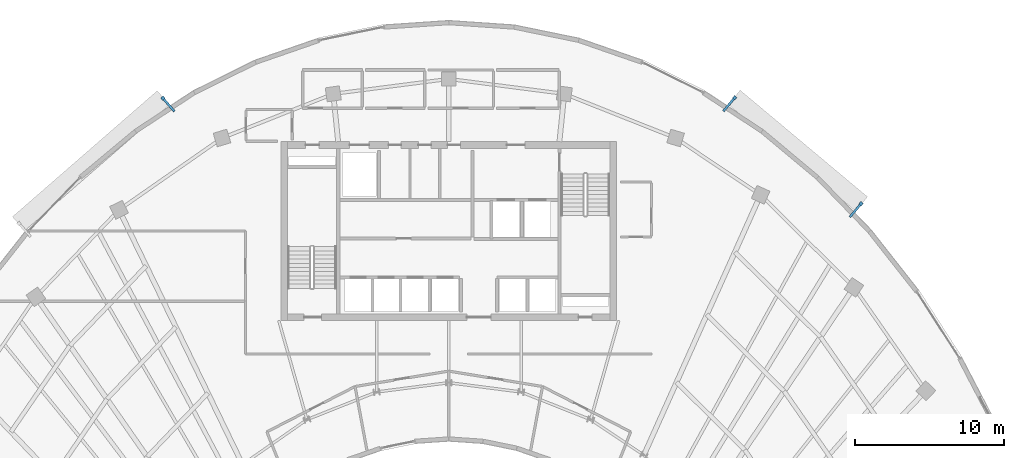
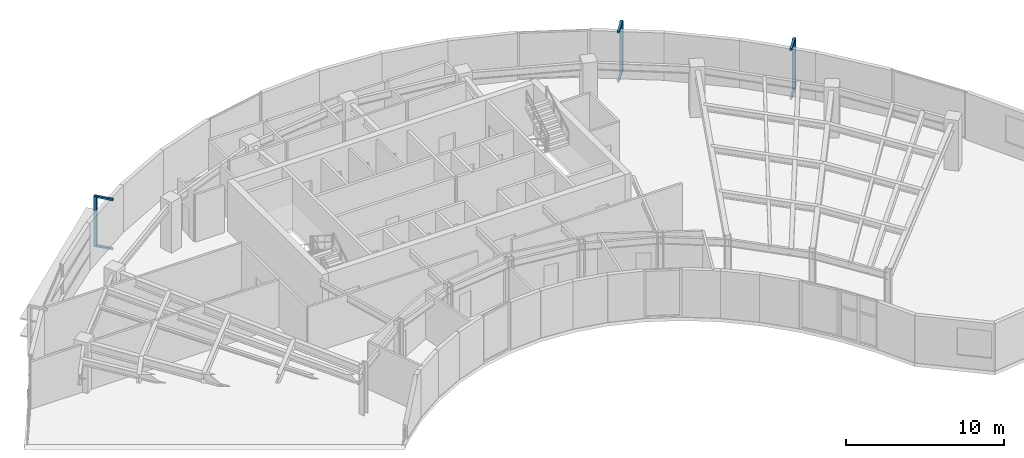
# One storey, part 12 of 14: 9 discrete accessories.
"""IFC4 building model written with IfcOpenShell, lengths in metres."""

from ifc_helpers import new_model, si_unit, direction, frame, origin, origin_2d, place, context, subcontext, project, spatial, rectangle, extrude, source, transform, mapped, material, type_object, type_shapes, element, save


model = new_model("IFC4")

# Units and contexts
model_context = context("Model", 3, precision=1e-05, world=origin(), true_north=direction((0.0, 1.0)))
body_context = subcontext(model_context, "Body", "Model", "MODEL_VIEW")
ifc_project = project(units=[si_unit("LENGTHUNIT", "METRE"), si_unit("AREAUNIT", "SQUARE_METRE"), si_unit("VOLUMEUNIT", "CUBIC_METRE"), si_unit("PLANEANGLEUNIT", "RADIAN"), si_unit("MASSUNIT", "GRAM", prefix="KILO")], contexts=[model_context])

# Site, building, storey
site_placement = place(None, origin())
site = spatial("IfcSite", under=ifc_project, at=site_placement, CompositionType="ELEMENT")
building_placement = place(site_placement, origin())
building = spatial("IfcBuilding", under=site, at=building_placement, Name="Breltana Convention Tower", CompositionType="ELEMENT")
storey_placement = place(building_placement, frame((0.0, 0.0, 207.89990234375)))
storey = spatial("IfcBuildingStorey", under=building, at=storey_placement, Name="L50", CompositionType="ELEMENT", Elevation=207.89990234375)

# Discrete accessories
ifc_material = material(Name="Steel S355", Category="steel")
discrete_accessory_type_1 = type_object("IfcDiscreteAccessoryType", Name="ACC-DSF-BRACKET-150", PredefinedType="BRACKET", material=ifc_material)
shared_shape_1 = source(origin(), body_context, "Body", "SweptSolid", [
    extrude(rectangle(XDim=1.239990234375, YDim=0.14990234375, at=origin_2d()), origin(), (0.0, 0.0, 1.0), 0.139892578125),
])
type_shapes(discrete_accessory_type_1, [shared_shape_1])
for number, where, z_axis, x_axis, name in (
    (1, (29.1953125, 74.69287109375, -0.15966796875), (0.0, 0.0, 1.0), (-0.65645174674, 0.754368016423, 0.0), "L50 double-skin slab stand-off bracket 1.2B"),
    (2, (29.1953125, 74.69287109375, 3.64013671875), (0.0, 0.0, 1.0), (-0.65645174674, 0.754368016423, 0.0), "L50 double-skin slab stand-off bracket 1.2T"),
    (3, (66.8125, 74.715087890625, -0.15966796875), (0.0, 0.0, 1.0), (0.641983760468, 0.766718234618, 0.0), "L50 double-skin slab stand-off bracket 2.1B"),
    (4, (66.8125, 74.715087890625, 3.64013671875), (0.0, 0.0, 1.0), (0.641983760468, 0.766718234618, 0.0), "L50 double-skin slab stand-off bracket 2.1T"),
    (5, (75.29150390625, 67.615478515625, -0.15966796875), (0.0, 0.0, 1.0), (0.641983760468, 0.766718234618, 0.0), "L50 double-skin slab stand-off bracket 2.2B"),
    (6, (75.29150390625, 67.615478515625, 3.64013671875), (0.0, 0.0, 1.0), (0.641983760468, 0.766718234618, 0.0), "L50 double-skin slab stand-off bracket 2.2T"),
):
    element("IfcDiscreteAccessory", number, at=place(storey_placement, frame(where, z_axis=z_axis, x_axis=x_axis)), inside=storey, type_object=discrete_accessory_type_1, Name=name, PredefinedType="BRACKET", context=body_context, shape_type="MappedRepresentation", body=[
        mapped(shared_shape_1, transform((0.0, 0.0, 0.0), scale=1.0)),
    ])
discrete_accessory_type_2 = type_object("IfcDiscreteAccessoryType", Name="ACC-DSF-CARRIER-150", PredefinedType="BRACKET", material=ifc_material)
shared_shape_2 = source(origin(), body_context, "Body", "SweptSolid", [
    extrude(rectangle(XDim=0.219970703125, YDim=0.219970703125, at=origin_2d()), origin(), (0.0, 0.0, 1.0), 3.860107421875),
])
for number, where, z_axis, x_axis, name in (
    (7, (28.82763671875, 75.115478515625, -0.1201171875), (0.0, 0.0, 1.0), (-0.65645174674, 0.754368016423, 0.0), "L50 double-skin outer vertical carrier 1.2"),
    (8, (67.172119140625, 75.144287109375, -0.1201171875), (0.0, 0.0, 1.0), (0.641983760468, 0.766718234618, 0.0), "L50 double-skin outer vertical carrier 2.1"),
    (9, (75.65087890625, 68.044921875, -0.1201171875), (0.0, 0.0, 1.0), (0.641983760468, 0.766718234618, 0.0), "L50 double-skin outer vertical carrier 2.2"),
):
    element("IfcDiscreteAccessory", number, at=place(storey_placement, frame(where, z_axis=z_axis, x_axis=x_axis)), inside=storey, type_object=discrete_accessory_type_2, Name=name, PredefinedType="BRACKET", context=body_context, shape_type="MappedRepresentation", body=[
        mapped(shared_shape_2, transform((0.0, 0.0, 0.0), scale=1.0)),
    ])

save(model, "model.ifc")
